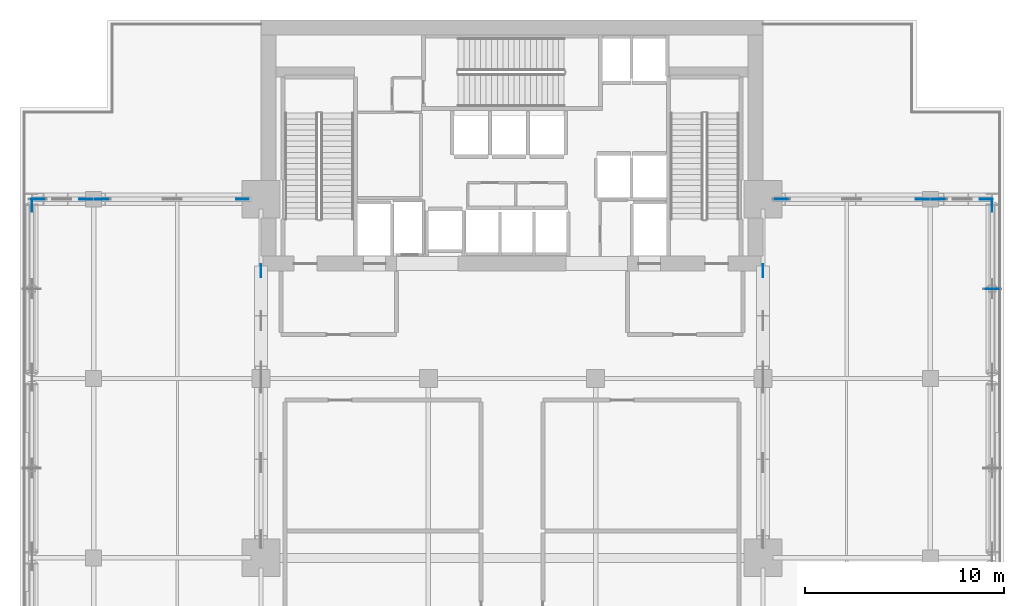
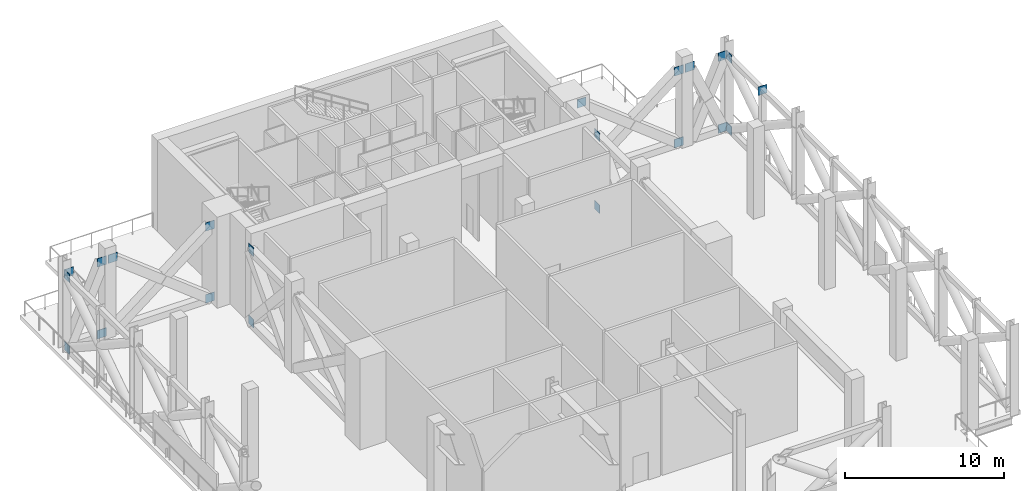
# One storey, part 8 of 14: 21 plates.
"""IFC4 building model written with IfcOpenShell, lengths in metres."""

from ifc_helpers import new_model, si_unit, direction, frame, origin, origin_2d, place, context, subcontext, project, spatial, rectangle, extrude, material, layer, layer_set, type_object, element, save


model = new_model("IFC4")

# Units and contexts
model_context = context("Model", 3, precision=1e-05, world=origin(), true_north=direction((0.0, 1.0)))
body_context = subcontext(model_context, "Body", "Model", "MODEL_VIEW")
ifc_project = project(units=[si_unit("LENGTHUNIT", "METRE"), si_unit("AREAUNIT", "SQUARE_METRE"), si_unit("VOLUMEUNIT", "CUBIC_METRE"), si_unit("PLANEANGLEUNIT", "RADIAN"), si_unit("MASSUNIT", "GRAM", prefix="KILO")], contexts=[model_context])

# Site, building, storey
site_placement = place(None, origin())
site = spatial("IfcSite", under=ifc_project, at=site_placement, CompositionType="ELEMENT")
building_placement = place(site_placement, origin())
building = spatial("IfcBuilding", under=site, at=building_placement, Name="Maruvema Waterfront Hotel and Observation Tower", CompositionType="ELEMENT")
storey_placement = place(building_placement, frame((0.0, 0.0, 227.5)))
storey = spatial("IfcBuildingStorey", under=building, at=storey_placement, Name="L56", CompositionType="ELEMENT", Elevation=227.5)

# Plates
ifc_material = material(Name="Steel ABNT NBR 7007 AR 415 (ASTM A572 Grade 50)", Category="steel")
ifc_layer = layer(ifc_material, 0.034912109375, Name="Hollow Section Sealed End Cap Plate 35 mm")
ifc_layer_set = layer_set([ifc_layer], Name="Steel ABNT NBR 7007 AR 415 (ASTM A572 Grade 50)")
plate_type = type_object("IfcPlateType", Name="Hollow Section Sealed End Cap Plate 35 mm", PredefinedType="USERDEFINED", material=ifc_layer_set)
for number, where, z_axis, x_axis, name in (
    (1, (25.199951171875, 41.419921875, -0.074951171875), (0.0, 0.0, 1.0), (0.0, 1.0, 0.0), "L56 Outrigger Truss Bottom Chord W2 Node Plate 2"),
    (2, (25.199951171875, 41.419921875, 5.455078125), (0.0, 0.0, 1.0), (0.0, 1.0, 0.0), "L56 Outrigger Truss Top Chord W2 Node Plate 2"),
    (3, (50.39990234375, 41.419921875, -0.074951171875), (0.0, 0.0, 1.0), (0.0, 1.0, 0.0), "L56 Outrigger Truss Bottom Chord E2 Node Plate 2"),
    (4, (50.39990234375, 41.419921875, 5.455078125), (0.0, 0.0, 1.0), (0.0, 1.0, 0.0), "L56 Outrigger Truss Top Chord E2 Node Plate 2"),
    (5, (16.39990234375, 45.0, -0.074951171875), (0.0, 0.0, 1.0), (1.0, 0.0, 0.0), "L56 Outrigger Wing Bottom Chord W1 Node Plate 2"),
    (6, (16.39990234375, 45.0, 5.455078125), (0.0, 0.0, 1.0), (1.0, 0.0, 0.0), "L56 Outrigger Wing Diagonal W1 Continuous A Node Plate 2"),
    (7, (14.0, 45.0, 5.455078125), (0.0, 0.0, 1.0), (-1.0, 0.0, 0.0), "L56 Outrigger Wing Diagonal W1 Split Upper B2 Node Plate 2"),
    (8, (24.27001953125, 45.0, -0.074951171875), (0.0, 0.0, 1.0), (1.0, 0.0, 0.0), "L56 Outrigger Wing Bottom Chord W2 Node Plate 2"),
    (9, (24.27001953125, 45.0, 5.455078125), (0.0, 0.0, 1.0), (1.0, 0.0, 0.0), "L56 Outrigger Wing Diagonal W2 Continuous A Node Plate 2"),
    (10, (17.199951171875, 45.0, 5.455078125), (0.0, 0.0, 1.0), (-1.0, 0.0, 0.0), "L56 Outrigger Wing Diagonal W2 Split Upper B2 Node Plate 2"),
    (11, (58.39990234375, 45.0, -0.074951171875), (0.0, 0.0, 1.0), (1.0, 0.0, 0.0), "L56 Outrigger Wing Bottom Chord E1 Node Plate 2"),
    (12, (58.39990234375, 45.0, 5.455078125), (0.0, 0.0, 1.0), (1.0, 0.0, 0.0), "L56 Outrigger Wing Diagonal E1 Continuous A Node Plate 2"),
    (13, (51.330078125, 45.0, 5.455078125), (0.0, 0.0, 1.0), (-1.0, 0.0, 0.0), "L56 Outrigger Wing Diagonal E1 Split Upper B2 Node Plate 2"),
    (14, (61.60009765625, 45.0, -0.074951171875), (0.0, 0.0, 1.0), (1.0, 0.0, 0.0), "L56 Outrigger Wing Bottom Chord E2 Node Plate 2"),
    (15, (61.60009765625, 45.0, 5.455078125), (0.0, 0.0, 1.0), (1.0, 0.0, 0.0), "L56 Outrigger Wing Diagonal E2 Continuous A Node Plate 2"),
    (16, (59.199951171875, 45.0, 5.455078125), (0.0, 0.0, 1.0), (-1.0, 0.0, 0.0), "L56 Outrigger Wing Diagonal E2 Split Upper B2 Node Plate 2"),
    (17, (13.699951171875, 44.699951171875, -0.074951171875), (0.0, 0.0, 1.0), (0.0, 1.0, 0.0), "L56 Perimeter Belt Truss Chord W4 Node Plate 2"),
    (18, (13.699951171875, 44.699951171875, 5.455078125), (0.0, 0.0, 1.0), (0.0, 1.0, 0.0), "L56 Perimeter Belt Truss Top Chord W4 Node Plate 2"),
    (19, (61.89990234375, 44.699951171875, -0.074951171875), (0.0, 0.0, 1.0), (0.0, 1.0, 0.0), "L56 Perimeter Belt Truss Chord E8 Node Plate 2"),
    (20, (61.89990234375, 44.699951171875, 5.455078125), (0.0, 0.0, 1.0), (0.0, 1.0, 0.0), "L56 Perimeter Belt Truss Top Chord E8 Node Plate 2"),
    (21, (61.89990234375, 40.5, 5.455078125), (0.0, 0.0, 1.0), (1.0, 0.0, 0.0), "L56 Perimeter Belt Truss Post E8 Node Plate 2"),
):
    element("IfcPlate", number, at=place(storey_placement, frame(where, z_axis=z_axis, x_axis=x_axis)), inside=storey, type_object=plate_type, Name=name, ObjectType="END_CAP_PLATE", PredefinedType="USERDEFINED", context=body_context, shape_type="SweptSolid", body=[
        extrude(rectangle(XDim=0.64990234375, YDim=0.034912109375, at=origin_2d()), origin(), (0.0, 0.0, 1.0), 0.64990234375),
    ])

save(model, "model.ifc")
